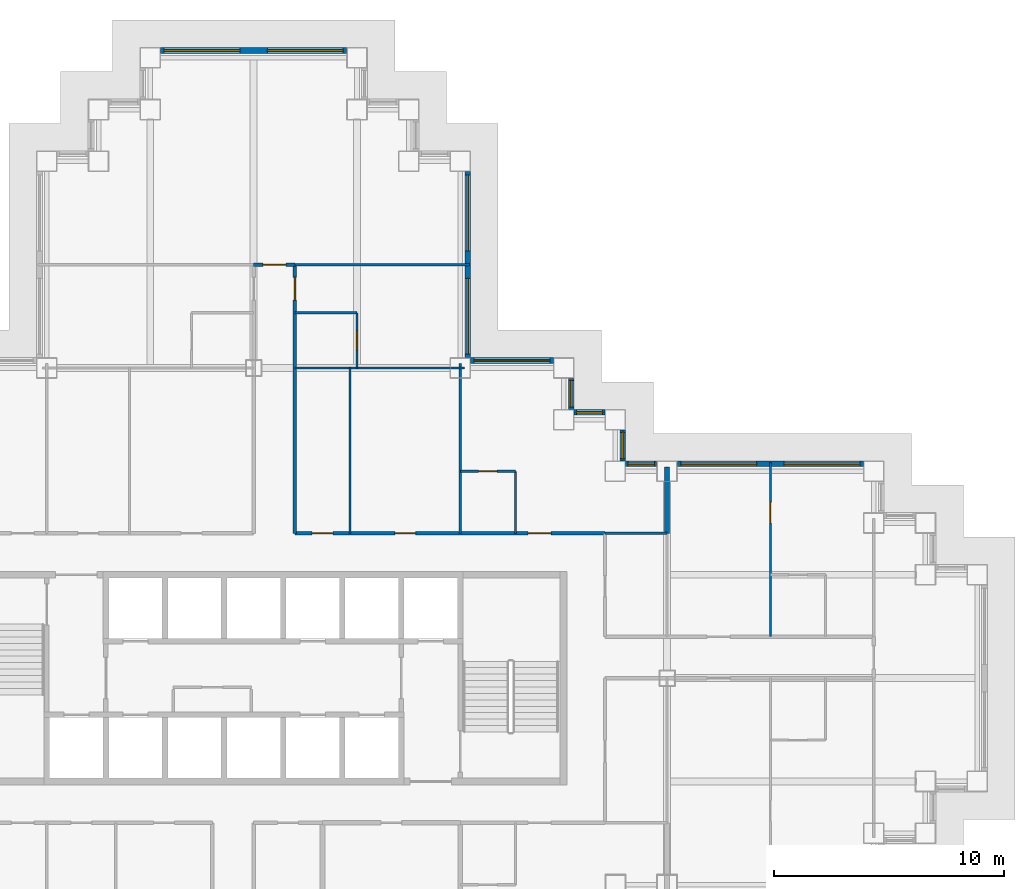
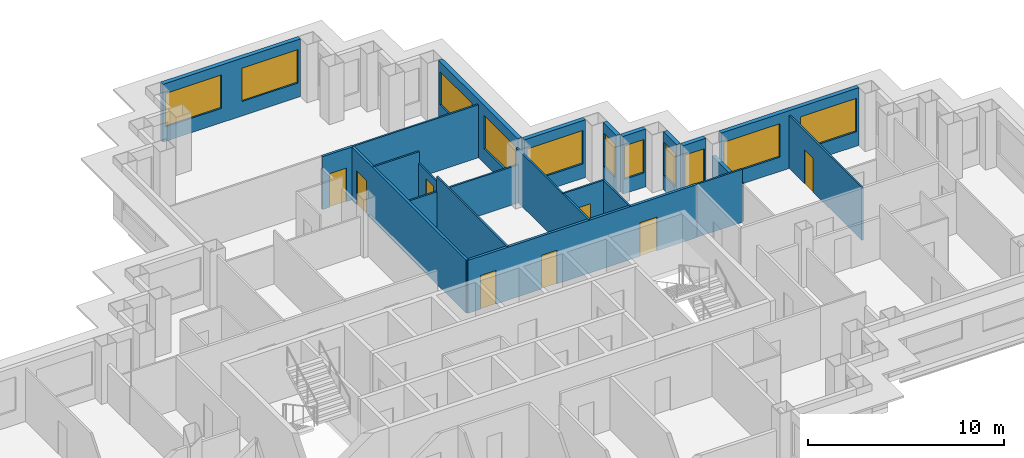
# One storey, part 9 of 15: 22 walls, 11 windows, 8 doors, 19 openings.
"""IFC4 building model written with IfcOpenShell, lengths in metres."""

import ifcopenshell
import ifcopenshell.guid

model = None  # the IFC model being written
_history = None  # IfcOwnerHistory: only IFC2X3 demands one
_inside = {}  # id of a spatial element -> (the spatial element, [elements in it])
_under = {}  # id of a project, library or spatial element -> (it, [spatial elements below it])
_declared = {}  # id of a project -> (the project, [libraries it declares])
_typed = {}  # id of a type object -> (the type object, [elements of that type])
_made_of = {}  # id of a material, layer set ... -> (it, [elements and type objects made of it])


def new_model(schema):
    """Start an empty IFC model of exactly this schema.

    Asked for "IFC4X3", IfcOpenShell would pick the latest addendum, in which some entities
    have other attributes; the version numbers below select the first issue.
    IFC2X3 requires an IfcOwnerHistory on every rooted entity: one is made here for all.
    """
    global model, _history
    if schema == "IFC4X3":
        model = ifcopenshell.file(schema_version=(4, 3, 0, 0))
    else:
        model = ifcopenshell.file(schema=schema)
    _inside.clear()
    _under.clear()
    _declared.clear()
    _typed.clear()
    _made_of.clear()
    _history = None
    if model.schema == "IFC2X3":
        org = make("IfcOrganization", Name="unknown")
        user = make(
            "IfcPersonAndOrganization",
            ThePerson=make("IfcPerson", FamilyName="unknown"),
            TheOrganization=org,
        )
        app = make(
            "IfcApplication",
            ApplicationDeveloper=org,
            Version="unknown",
            ApplicationFullName="unknown",
            ApplicationIdentifier="unknown",
        )
        _history = make(
            "IfcOwnerHistory",
            OwningUser=user,
            OwningApplication=app,
            ChangeAction="ADDED",
            CreationDate=0,
        )
    return model


def make(cls, **values):
    """One entity of the class cls with the attributes given. An attribute that is None is left unset."""
    return model.create_entity(
        cls, **{name: value for name, value in values.items() if value is not None}
    )


def rooted(cls, **values):
    """An entity with a GlobalId (a new one), such as an element, a storey or a relation."""
    return make(cls, GlobalId=ifcopenshell.guid.new(), OwnerHistory=_history, **values)


def si_unit(unit_type, name, prefix=None):
    """IfcSIUnit, for example si_unit("LENGTHUNIT", "METRE", prefix="MILLI")."""
    return make("IfcSIUnit", UnitType=unit_type, Prefix=prefix, Name=name)


def assignment(units):
    """IfcUnitAssignment: the units of a project."""
    return None if units is None else make("IfcUnitAssignment", Units=units)


def point(xyz):
    """IfcCartesianPoint."""
    return None if xyz is None else make("IfcCartesianPoint", Coordinates=xyz)


def direction(xyz):
    """IfcDirection."""
    return None if xyz is None else make("IfcDirection", DirectionRatios=xyz)


def frame(location, z_axis=None, x_axis=None):
    """IfcAxis2Placement3D, a coordinate frame: its origin and axes. An axis left out is left unset."""
    return make(
        "IfcAxis2Placement3D",
        Location=point(location),
        Axis=direction(z_axis),
        RefDirection=direction(x_axis),
    )


def frame_2d(location, x_axis=None):
    """IfcAxis2Placement2D, a coordinate frame in the plane: its origin and x axis."""
    return make(
        "IfcAxis2Placement2D", Location=point(location), RefDirection=direction(x_axis)
    )


def origin():
    """The frame at (0, 0, 0) with its axes left unset."""
    return frame((0.0, 0.0, 0.0))


def place(relative_to, where):
    """IfcLocalPlacement: puts the frame where relative to a parent placement (None: the world)."""
    return make(
        "IfcLocalPlacement", PlacementRelTo=relative_to, RelativePlacement=where
    )


def context(
    kind, dimensions, precision=None, world=None, true_north=None, identifier=None
):
    """IfcGeometricRepresentationContext, for example the 3D "Model" context."""
    return make(
        "IfcGeometricRepresentationContext",
        ContextIdentifier=identifier,
        ContextType=kind,
        CoordinateSpaceDimension=dimensions,
        Precision=precision,
        WorldCoordinateSystem=world,
        TrueNorth=true_north,
    )


def subcontext(parent, identifier, kind, view, scale=None):
    """IfcGeometricRepresentationSubContext, for example "Body" below "Model"."""
    return make(
        "IfcGeometricRepresentationSubContext",
        ContextIdentifier=identifier,
        ContextType=kind,
        ParentContext=parent,
        TargetScale=scale,
        TargetView=view,
    )


def project(units=None, contexts=None):
    """IfcProject with its units and contexts."""
    return rooted(
        "IfcProject",
        Name="project",
        RepresentationContexts=contexts,
        UnitsInContext=assignment(units),
    )


def spatial(cls, under=None, at=None, **own):
    """A site, building, storey or space (cls), placed at a placement, below another one or the project."""
    s = rooted(cls, ObjectPlacement=at, **own)
    if under is not None:
        _under.setdefault(under.id(), (under, []))[1].append(s)
    return s


def profile(cls, at=None, kind="AREA", **sizes):
    """A parametric profile (cls). Its sizes go by their IFC names, for example OverallWidth=200.0."""
    return make(cls, ProfileType=kind, Position=at, **sizes)


def rectangle(**sizes):
    """IfcRectangleProfileDef."""
    return profile("IfcRectangleProfileDef", **sizes)


def extrude(swept, where, along, depth):
    """IfcExtrudedAreaSolid: the profile swept, set in the frame where, extruded along a direction by depth."""
    return make(
        "IfcExtrudedAreaSolid",
        SweptArea=swept,
        Position=where,
        ExtrudedDirection=direction(along),
        Depth=depth,
    )


def shape(context_of_items, identifier, shape_type, items):
    """IfcShapeRepresentation: the items that make up one representation, for example the "Body"."""
    return make(
        "IfcShapeRepresentation",
        ContextOfItems=context_of_items,
        RepresentationIdentifier=identifier,
        RepresentationType=shape_type,
        Items=items,
    )


def material(Name=None, Category=None):
    """IfcMaterial."""
    return make("IfcMaterial", Name=Name, Category=Category)


def layer(
    of_material, thickness, ventilated=None, Name=None, Category=None, Priority=None
):
    """IfcMaterialLayer: one layer of a wall or slab, of a material (None: an air gap)."""
    return make(
        "IfcMaterialLayer",
        Material=of_material,
        LayerThickness=thickness,
        IsVentilated=ventilated,
        Name=Name,
        Category=Category,
        Priority=Priority,
    )


def layer_set(layers, Name=None):
    """IfcMaterialLayerSet."""
    return make("IfcMaterialLayerSet", MaterialLayers=layers, LayerSetName=Name)


def made_of(thing, what):
    """Note that an element or type object is made of a material, layer set ...; save() writes the relation."""
    if what is not None:
        _made_of.setdefault(what.id(), (what, []))[1].append(thing)
    return thing


def type_object(cls, material=None, **own):
    """A type object (cls), such as IfcWallType, which elements share."""
    return made_of(rooted(cls, **own), material)


def element(
    cls,
    number,
    at=None,
    inside=None,
    cuts=None,
    type_object=None,
    material=None,
    context=None,
    identifier="Body",
    shape_type=None,
    held_by="IfcProductDefinitionShape",
    body=None,
    shapes=None,
    **own,
):
    """One element of the class cls, such as IfcWall. Its Tag is "e" and its number.

    at: its placement. inside: the storey or other place that contains it. cuts: it is an
    opening in that element (IfcRelVoidsElement). A single representation is given by context,
    identifier, shape_type and body (its items); several are given by shapes. held_by: the class
    of the entity that holds the representations. save() writes the other relations.
    """
    e = rooted(cls, Tag="e%d" % number, ObjectPlacement=at, **own)
    if body is not None:
        shapes = [shape(context, identifier, shape_type, body)]
    if shapes is not None:
        e.Representation = make(held_by, Representations=shapes)
    if inside is not None:
        _inside.setdefault(inside.id(), (inside, []))[1].append(e)
    if cuts is not None:
        rooted(
            "IfcRelVoidsElement", RelatingBuildingElement=cuts, RelatedOpeningElement=e
        )
    if type_object is not None:
        _typed.setdefault(type_object.id(), (type_object, []))[1].append(e)
    return made_of(e, material)


def fill(opening, filler):
    """IfcRelFillsElement: the door or window that sits in an opening."""
    return rooted(
        "IfcRelFillsElement",
        RelatingOpeningElement=opening,
        RelatedBuildingElement=filler,
    )


def aggregate(whole, parts):
    """IfcRelAggregates: a whole, such as a stair, and the parts it consists of."""
    return rooted("IfcRelAggregates", RelatingObject=whole, RelatedObjects=parts)


def save(model, path):
    """Write the relations noted so far, then the file.

    IfcRelAggregates (storeys below a building ...), IfcRelContainedInSpatialStructure (elements
    in a storey), IfcRelDefinesByType, IfcRelAssociatesMaterial and IfcRelDeclares: one each for
    every whole, place, type object, material and project.
    """
    for whole, parts in _under.values():
        aggregate(whole, parts)
    for where, things in _inside.values():
        rooted(
            "IfcRelContainedInSpatialStructure",
            RelatedElements=things,
            RelatingStructure=where,
        )
    for kind, things in _typed.values():
        rooted("IfcRelDefinesByType", RelatedObjects=things, RelatingType=kind)
    for what, things in _made_of.values():
        rooted("IfcRelAssociatesMaterial", RelatedObjects=things, RelatingMaterial=what)
    for by, libraries in _declared.values():
        rooted("IfcRelDeclares", RelatingContext=by, RelatedDefinitions=libraries)
    model.write(path)


model = new_model("IFC4")

# Units and contexts
model_context = context("Model", 3, precision=1e-05, world=origin(), true_north=direction((0.0, 1.0)))
body_context = subcontext(model_context, "Body", "Model", "MODEL_VIEW")
ifc_project = project(units=[si_unit("LENGTHUNIT", "METRE"), si_unit("AREAUNIT", "SQUARE_METRE"), si_unit("VOLUMEUNIT", "CUBIC_METRE"), si_unit("PLANEANGLEUNIT", "RADIAN"), si_unit("MASSUNIT", "GRAM", prefix="KILO")], contexts=[model_context])

# Site, building, storey
site_placement = place(None, origin())
site = spatial("IfcSite", under=ifc_project, at=site_placement, CompositionType="ELEMENT")
building_placement = place(site_placement, origin())
building = spatial("IfcBuilding", under=site, at=building_placement, Name="Caravel Reach Hotel and Residences", CompositionType="ELEMENT")
storey_placement = place(building_placement, frame((0.0, 0.0, 104.39990234375)))
storey = spatial("IfcBuildingStorey", under=building, at=storey_placement, Name="L25", CompositionType="ELEMENT", Elevation=104.39990234375)

# Wall, opening, door
ifc_material_1 = material(Name="Gypsum board on steel stud", Category="steel")
ifc_layer_1 = layer(ifc_material_1, 0.10009765625)
ifc_layer_set_1 = layer_set([ifc_layer_1], Name="Bathroom pod wall 100 mm")
wall_type_1 = type_object("IfcWallType", Name="Bathroom pod wall 100 mm", PredefinedType="PARTITIONING", material=ifc_layer_set_1)
wall_1_placement = place(storey_placement, frame((40.5, 36.0, 0.0), z_axis=(0.0, 0.0, 1.0), x_axis=(1.0, 0.0, 0.0)))
wall_1 = element("IfcWall", 1, at=wall_1_placement, inside=storey, type_object=wall_type_1, Name="L25 wall w093", PredefinedType="PARTITIONING", context=body_context, shape_type="SweptSolid", body=[
    extrude(rectangle(XDim=2.39990234375, YDim=0.10009765625, at=frame_2d((1.199951171875, 0.0))), origin(), (0.0, 0.0, 1.0), 3.300048828125),
])
opening_1_placement = place(wall_1_placement, frame((0.800048828125, 0.0, 0.0)))
opening_1 = element("IfcOpeningElement", 2, at=opening_1_placement, cuts=wall_1, Name="Opening D25-048", PredefinedType="OPENING", context=body_context, shape_type="SweptSolid", body=[
    extrude(rectangle(XDim=0.800048828125, YDim=2.10009765625, at=frame_2d((0.39990234375, 1.050048828125))), frame((0.0, 0.06005859375, 0.0), z_axis=(0.0, -1.0, 0.0), x_axis=(1.0, 0.0, 0.0)), (0.0, 0.0, 1.0), 0.1201171875),
])
ifc_material_2 = material(Name="Timber and steel door leaf", Category="steel")
door_type_1 = type_object("IfcDoorType", Name="Bathroom door 800 x 2100", OperationType="SINGLE_SWING_LEFT", PredefinedType="DOOR", material=ifc_material_2)
door_1_placement = place(opening_1_placement, origin())
door_1 = element("IfcDoor", 3, at=door_1_placement, inside=storey, type_object=door_type_1, Name="door D25-048", OperationType="SINGLE_SWING_RIGHT", OverallHeight=2.10009765625, OverallWidth=0.800048828125, PredefinedType="DOOR", context=body_context, shape_type="SweptSolid", body=[
    extrude(rectangle(XDim=0.800048828125, YDim=2.10009765625, at=frame_2d((0.39990234375, 1.050048828125))), frame((0.0, 0.02490234375, 0.0), z_axis=(0.0, -1.0, 0.0), x_axis=(1.0, 0.0, 0.0)), (0.0, 0.0, 1.0), 0.050048828125),
])
fill(opening_1, door_1)

# Wall
wall_2_placement = place(storey_placement, frame((33.300048828125, 42.89990234375, 0.0), z_axis=(0.0, 0.0, 1.0), x_axis=(1.0, 0.0, 0.0)))
element("IfcWall", 4, at=wall_2_placement, inside=storey, type_object=wall_type_1, Name="L25 wall w094", PredefinedType="PARTITIONING", context=body_context, shape_type="SweptSolid", body=[
    extrude(rectangle(XDim=2.699951171875, YDim=0.10009765625, at=frame_2d((1.35009765625, 0.0))), origin(), (0.0, 0.0, 1.0), 3.300048828125),
])

# Wall, opening, door
wall_3_placement = place(storey_placement, frame((36.0, 40.5, 0.0), z_axis=(0.0, 0.0, 1.0), x_axis=(0.0, 1.0, 0.0)))
wall_3 = element("IfcWall", 5, at=wall_3_placement, inside=storey, type_object=wall_type_1, Name="L25 wall w110", PredefinedType="PARTITIONING", context=body_context, shape_type="SweptSolid", body=[
    extrude(rectangle(XDim=2.39990234375, YDim=0.10009765625, at=frame_2d((1.199951171875, 0.0))), origin(), (0.0, 0.0, 1.0), 2.580078125),
])
opening_2_placement = place(wall_3_placement, frame((0.800048828125, 0.0, 0.0)))
opening_2 = element("IfcOpeningElement", 6, at=opening_2_placement, cuts=wall_3, Name="Opening D25-031", PredefinedType="OPENING", context=body_context, shape_type="SweptSolid", body=[
    extrude(rectangle(XDim=0.800048828125, YDim=2.10009765625, at=frame_2d((0.39990234375, 1.050048828125))), frame((0.0, 0.06005859375, 0.0), z_axis=(0.0, -1.0, 0.0), x_axis=(1.0, 0.0, 0.0)), (0.0, 0.0, 1.0), 0.1201171875),
])
door_2_placement = place(opening_2_placement, origin())
door_2 = element("IfcDoor", 7, at=door_2_placement, inside=storey, type_object=door_type_1, Name="door D25-031", OperationType="SINGLE_SWING_LEFT", OverallHeight=2.10009765625, OverallWidth=0.800048828125, PredefinedType="DOOR", context=body_context, shape_type="SweptSolid", body=[
    extrude(rectangle(XDim=0.800048828125, YDim=2.10009765625, at=frame_2d((0.39990234375, 1.050048828125))), frame((0.0, 0.02490234375, 0.0), z_axis=(0.0, -1.0, 0.0), x_axis=(1.0, 0.0, 0.0)), (0.0, 0.0, 1.0), 0.050048828125),
])
fill(opening_2, door_2)

# Wall
wall_4_placement = place(storey_placement, frame((42.89990234375, 33.300048828125, 0.0), z_axis=(0.0, 0.0, 1.0), x_axis=(0.0, 1.0, 0.0)))
element("IfcWall", 8, at=wall_4_placement, inside=storey, type_object=wall_type_1, Name="L25 wall w111", PredefinedType="PARTITIONING", context=body_context, shape_type="SweptSolid", body=[
    extrude(rectangle(XDim=2.699951171875, YDim=0.10009765625, at=frame_2d((1.35009765625, 0.0))), origin(), (0.0, 0.0, 1.0), 3.300048828125),
])

# Wall, openings, doors
ifc_material_3 = material(Name="Gypsum board on steel stud, fire-rated", Category="steel")
ifc_layer_2 = layer(ifc_material_3, 0.14990234375)
ifc_layer_set_2 = layer_set([ifc_layer_2], Name="Corridor wall 150 mm EI 60")
wall_type_2 = type_object("IfcWallType", Name="Corridor wall 150 mm EI 60", PredefinedType="PARTITIONING", material=ifc_layer_set_2)
wall_5_placement = place(storey_placement, frame((33.300048828125, 33.300048828125, 0.0), z_axis=(0.0, 0.0, 1.0), x_axis=(1.0, 0.0, 0.0)))
wall_5 = element("IfcWall", 9, at=wall_5_placement, inside=storey, type_object=wall_type_2, Name="L25 wall w022", PredefinedType="PARTITIONING", context=body_context, shape_type="SweptSolid", body=[
    extrude(rectangle(XDim=13.5, YDim=0.14990234375, at=frame_2d((6.75, 0.0))), origin(), (0.0, 0.0, 1.0), 3.300048828125),
])
opening_3_placement = place(wall_5_placement, frame((10.14990234375, 0.0, 0.0)))
opening_3 = element("IfcOpeningElement", 10, at=opening_3_placement, cuts=wall_5, Name="Opening D25-047", PredefinedType="OPENING", context=body_context, shape_type="SweptSolid", body=[
    extrude(rectangle(XDim=1.0, YDim=2.10009765625, at=frame_2d((0.5, 1.050048828125))), frame((0.0, 0.0849609375, 0.0), z_axis=(0.0, -1.0, 0.0), x_axis=(1.0, 0.0, 0.0)), (0.0, 0.0, 1.0), 0.169921875),
])
opening_4_placement = place(wall_5_placement, frame((0.75, 0.0, 0.0)))
opening_4 = element("IfcOpeningElement", 11, at=opening_4_placement, cuts=wall_5, Name="Opening D25-055", PredefinedType="OPENING", context=body_context, shape_type="SweptSolid", body=[
    extrude(rectangle(XDim=0.89990234375, YDim=2.10009765625, at=frame_2d((0.449951171875, 1.050048828125))), frame((0.0, 0.0849609375, 0.0), z_axis=(0.0, -1.0, 0.0), x_axis=(1.0, 0.0, 0.0)), (0.0, 0.0, 1.0), 0.169921875),
])
opening_5_placement = place(wall_5_placement, frame((4.349853515625, 0.0, 0.0)))
opening_5 = element("IfcOpeningElement", 12, at=opening_5_placement, cuts=wall_5, Name="Opening D25-056", PredefinedType="OPENING", context=body_context, shape_type="SweptSolid", body=[
    extrude(rectangle(XDim=0.89990234375, YDim=2.10009765625, at=frame_2d((0.449951171875, 1.050048828125))), frame((0.0, 0.0849609375, 0.0), z_axis=(0.0, -1.0, 0.0), x_axis=(1.0, 0.0, 0.0)), (0.0, 0.0, 1.0), 0.169921875),
])
ifc_material_4 = material(Name="Timber and steel door leaf", Category="steel")
door_type_2 = type_object("IfcDoorType", Name="Door 900 x 2100 timber", OperationType="SINGLE_SWING_LEFT", PredefinedType="DOOR", material=ifc_material_4)
door_3_placement = place(opening_4_placement, origin())
door_3 = element("IfcDoor", 13, at=door_3_placement, inside=storey, type_object=door_type_2, Name="door D25-055", OperationType="SINGLE_SWING_LEFT", OverallHeight=2.10009765625, OverallWidth=0.89990234375, PredefinedType="DOOR", context=body_context, shape_type="SweptSolid", body=[
    extrude(rectangle(XDim=0.89990234375, YDim=2.10009765625, at=frame_2d((0.449951171875, 1.050048828125))), frame((0.0, 0.02490234375, 0.0), z_axis=(0.0, -1.0, 0.0), x_axis=(1.0, 0.0, 0.0)), (0.0, 0.0, 1.0), 0.050048828125),
])
fill(opening_4, door_3)
door_4_placement = place(opening_5_placement, origin())
door_4 = element("IfcDoor", 14, at=door_4_placement, inside=storey, type_object=door_type_2, Name="door D25-056", OperationType="SINGLE_SWING_RIGHT", OverallHeight=2.10009765625, OverallWidth=0.89990234375, PredefinedType="DOOR", context=body_context, shape_type="SweptSolid", body=[
    extrude(rectangle(XDim=0.89990234375, YDim=2.10009765625, at=frame_2d((0.449951171875, 1.050048828125))), frame((0.0, 0.02490234375, 0.0), z_axis=(0.0, -1.0, 0.0), x_axis=(1.0, 0.0, 0.0)), (0.0, 0.0, 1.0), 0.050048828125),
])
fill(opening_5, door_4)
ifc_material_5 = material(Name="Steel fire door leaf", Category="steel")
door_type_3 = type_object("IfcDoorType", Name="Guest room door 1000 x 2100 EI 30", OperationType="SINGLE_SWING_LEFT", PredefinedType="DOOR", material=ifc_material_5)
door_5_placement = place(opening_3_placement, origin())
door_5 = element("IfcDoor", 15, at=door_5_placement, inside=storey, type_object=door_type_3, Name="door D25-047", OperationType="SINGLE_SWING_RIGHT", OverallHeight=2.10009765625, OverallWidth=1.0, PredefinedType="DOOR", context=body_context, shape_type="SweptSolid", body=[
    extrude(rectangle(XDim=1.0, YDim=2.10009765625, at=frame_2d((0.5, 1.050048828125))), frame((0.0, 0.02490234375, 0.0), z_axis=(0.0, -1.0, 0.0), x_axis=(1.0, 0.0, 0.0)), (0.0, 0.0, 1.0), 0.050048828125),
])
fill(opening_3, door_5)

# Wall, opening, door
wall_6_placement = place(storey_placement, frame((31.5, 45.0, 0.0), z_axis=(0.0, 0.0, 1.0), x_axis=(1.0, 0.0, 0.0)))
wall_6 = element("IfcWall", 16, at=wall_6_placement, inside=storey, type_object=wall_type_2, Name="L25 wall w025", PredefinedType="PARTITIONING", context=body_context, shape_type="SweptSolid", body=[
    extrude(rectangle(XDim=1.800048828125, YDim=0.14990234375, at=frame_2d((0.89990234375, 0.0))), origin(), (0.0, 0.0, 1.0), 3.300048828125),
])
opening_6_placement = place(wall_6_placement, frame((0.39990234375, 0.0, 0.0)))
opening_6 = element("IfcOpeningElement", 17, at=opening_6_placement, cuts=wall_6, Name="Opening D25-042", PredefinedType="OPENING", context=body_context, shape_type="SweptSolid", body=[
    extrude(rectangle(XDim=1.0, YDim=2.10009765625, at=frame_2d((0.5, 1.050048828125))), frame((0.0, 0.0849609375, 0.0), z_axis=(0.0, -1.0, 0.0), x_axis=(1.0, 0.0, 0.0)), (0.0, 0.0, 1.0), 0.169921875),
])
door_6_placement = place(opening_6_placement, origin())
door_6 = element("IfcDoor", 18, at=door_6_placement, inside=storey, type_object=door_type_3, Name="door D25-042", OperationType="SINGLE_SWING_RIGHT", OverallHeight=2.10009765625, OverallWidth=1.0, PredefinedType="DOOR", context=body_context, shape_type="SweptSolid", body=[
    extrude(rectangle(XDim=1.0, YDim=2.10009765625, at=frame_2d((0.5, 1.050048828125))), frame((0.0, 0.02490234375, 0.0), z_axis=(0.0, -1.0, 0.0), x_axis=(1.0, 0.0, 0.0)), (0.0, 0.0, 1.0), 0.050048828125),
])
fill(opening_6, door_6)

wall_7_placement = place(storey_placement, frame((33.300048828125, 33.300048828125, 0.0), z_axis=(0.0, 0.0, 1.0), x_axis=(0.0, 1.0, 0.0)))
wall_7 = element("IfcWall", 19, at=wall_7_placement, inside=storey, type_object=wall_type_2, Name="L25 wall w037", PredefinedType="PARTITIONING", context=body_context, shape_type="SweptSolid", body=[
    extrude(rectangle(XDim=11.699951171875, YDim=0.14990234375, at=frame_2d((5.85009765625, 0.0))), origin(), (0.0, 0.0, 1.0), 3.300048828125),
])
opening_7_placement = place(wall_7_placement, frame((10.14990234375, 0.0, 0.0)))
opening_7 = element("IfcOpeningElement", 20, at=opening_7_placement, cuts=wall_7, Name="Opening D25-030", PredefinedType="OPENING", context=body_context, shape_type="SweptSolid", body=[
    extrude(rectangle(XDim=1.0, YDim=2.10009765625, at=frame_2d((0.5, 1.050048828125))), frame((0.0, 0.0849609375, 0.0), z_axis=(0.0, -1.0, 0.0), x_axis=(1.0, 0.0, 0.0)), (0.0, 0.0, 1.0), 0.169921875),
])
door_7_placement = place(opening_7_placement, origin())
door_7 = element("IfcDoor", 21, at=door_7_placement, inside=storey, type_object=door_type_3, Name="door D25-030", OperationType="SINGLE_SWING_RIGHT", OverallHeight=2.10009765625, OverallWidth=1.0, PredefinedType="DOOR", context=body_context, shape_type="SweptSolid", body=[
    extrude(rectangle(XDim=1.0, YDim=2.10009765625, at=frame_2d((0.5, 1.050048828125))), frame((0.0, 0.02490234375, 0.0), z_axis=(0.0, -1.0, 0.0), x_axis=(1.0, 0.0, 0.0)), (0.0, 0.0, 1.0), 0.050048828125),
])
fill(opening_7, door_7)

# Wall, openings, windows
ifc_material_6 = material(Name="Insulated rainscreen wall, aluminium cladding", Category="aluminium")
ifc_layer_3 = layer(ifc_material_6, 0.25)
ifc_layer_set_3 = layer_set([ifc_layer_3], Name="EW1 Tower rainscreen wall")
wall_type_3 = type_object("IfcWallType", Name="EW1 Tower rainscreen wall", PredefinedType="SOLIDWALL", material=ifc_layer_set_3)
wall_8_placement = place(storey_placement, frame((58.050048828125, 36.324951171875, 0.0), z_axis=(0.0, 0.0, 1.0), x_axis=(-1.0, 0.0, 0.0)))
wall_8 = element("IfcWall", 22, at=wall_8_placement, inside=storey, type_object=wall_type_3, Name="External wall L25 N25.1", PredefinedType="SOLIDWALL", context=body_context, shape_type="SweptSolid", body=[
    extrude(rectangle(XDim=8.10009765625, YDim=0.25, at=frame_2d((4.050048828125, 0.0))), origin(), (0.0, 0.0, 1.0), 3.60009765625),
])
opening_8_placement = place(wall_8_placement, frame((0.14990234375, 0.0, 0.89990234375)))
opening_8 = element("IfcOpeningElement", 23, at=opening_8_placement, cuts=wall_8, Name="Opening WN4", PredefinedType="OPENING", context=body_context, shape_type="SweptSolid", body=[
    extrude(rectangle(XDim=3.300048828125, YDim=2.080078125, at=frame_2d((1.64990234375, 1.0400390625))), frame((0.0, 0.135009765625, 0.0), z_axis=(0.0, -1.0, 0.0), x_axis=(1.0, 0.0, 0.0)), (0.0, 0.0, 1.0), 0.27001953125),
])
opening_9_placement = place(wall_8_placement, frame((4.64990234375, 0.0, 0.89990234375)))
opening_9 = element("IfcOpeningElement", 24, at=opening_9_placement, cuts=wall_8, Name="Opening WN4", PredefinedType="OPENING", context=body_context, shape_type="SweptSolid", body=[
    extrude(rectangle(XDim=3.300048828125, YDim=2.080078125, at=frame_2d((1.64990234375, 1.0400390625))), frame((0.0, 0.135009765625, 0.0), z_axis=(0.0, -1.0, 0.0), x_axis=(1.0, 0.0, 0.0)), (0.0, 0.0, 1.0), 0.27001953125),
])
ifc_material_7 = material(Name="Dark low-e glazing in black aluminium frame", Category="aluminium")
window_type_1 = type_object("IfcWindowType", Name="Hotel guest room window 3300 x 2080", PartitioningType="SINGLE_PANEL", PredefinedType="WINDOW", material=ifc_material_7)
window_1_placement = place(opening_8_placement, origin())
window_1 = element("IfcWindow", 25, at=window_1_placement, inside=storey, type_object=window_type_1, Name="Window L25 N25.1.1", OverallHeight=2.080078125, OverallWidth=3.300048828125, PartitioningType="SINGLE_PANEL", PredefinedType="WINDOW", context=body_context, shape_type="SweptSolid", body=[
    extrude(rectangle(XDim=3.300048828125, YDim=2.080078125, at=frame_2d((1.64990234375, 1.0400390625))), frame((0.0, 0.030029296875, 0.0), z_axis=(0.0, -1.0, 0.0), x_axis=(1.0, 0.0, 0.0)), (0.0, 0.0, 1.0), 0.06005859375),
])
fill(opening_8, window_1)
window_2_placement = place(opening_9_placement, origin())
window_2 = element("IfcWindow", 26, at=window_2_placement, inside=storey, type_object=window_type_1, Name="Window L25 N25.1.2", OverallHeight=2.080078125, OverallWidth=3.300048828125, PartitioningType="SINGLE_PANEL", PredefinedType="WINDOW", context=body_context, shape_type="SweptSolid", body=[
    extrude(rectangle(XDim=3.300048828125, YDim=2.080078125, at=frame_2d((1.64990234375, 1.0400390625))), frame((0.0, 0.030029296875, 0.0), z_axis=(0.0, -1.0, 0.0), x_axis=(1.0, 0.0, 0.0)), (0.0, 0.0, 1.0), 0.06005859375),
])
fill(opening_9, window_2)

# Wall, opening, window
wall_9_placement = place(storey_placement, frame((49.050048828125, 36.324951171875, 0.0), z_axis=(0.0, 0.0, 1.0), x_axis=(-1.0, 0.0, 0.0)))
wall_9 = element("IfcWall", 27, at=wall_9_placement, inside=storey, type_object=wall_type_3, Name="External wall L25 N25.2", PredefinedType="SOLIDWALL", context=body_context, shape_type="SweptSolid", body=[
    extrude(rectangle(XDim=1.35009765625, YDim=0.25, at=frame_2d((0.675048828125, 0.0))), origin(), (0.0, 0.0, 1.0), 3.60009765625),
])
opening_10_placement = place(wall_9_placement, frame((0.10009765625, 0.0, 0.89990234375)))
opening_10 = element("IfcOpeningElement", 28, at=opening_10_placement, cuts=wall_9, Name="Opening WN8", PredefinedType="OPENING", context=body_context, shape_type="SweptSolid", body=[
    extrude(rectangle(XDim=1.14990234375, YDim=2.080078125, at=frame_2d((0.574951171875, 1.0400390625))), frame((0.0, 0.135009765625, 0.0), z_axis=(0.0, -1.0, 0.0), x_axis=(1.0, 0.0, 0.0)), (0.0, 0.0, 1.0), 0.27001953125),
])
ifc_material_8 = material(Name="Dark low-e glazing in black aluminium frame", Category="aluminium")
window_type_2 = type_object("IfcWindowType", Name="Hotel suite corner window 1150 x 2080", PartitioningType="SINGLE_PANEL", PredefinedType="WINDOW", material=ifc_material_8)
window_3_placement = place(opening_10_placement, origin())
window_3 = element("IfcWindow", 29, at=window_3_placement, inside=storey, type_object=window_type_2, Name="Window L25 N25.2.1", OverallHeight=2.080078125, OverallWidth=1.14990234375, PartitioningType="SINGLE_PANEL", PredefinedType="WINDOW", context=body_context, shape_type="SweptSolid", body=[
    extrude(rectangle(XDim=1.14990234375, YDim=2.080078125, at=frame_2d((0.574951171875, 1.0400390625))), frame((0.0, 0.030029296875, 0.0), z_axis=(0.0, -1.0, 0.0), x_axis=(1.0, 0.0, 0.0)), (0.0, 0.0, 1.0), 0.06005859375),
])
fill(opening_10, window_3)

wall_10_placement = place(storey_placement, frame((47.574951171875, 36.449951171875, 0.0), z_axis=(0.0, 0.0, 1.0), x_axis=(0.0, 1.0, 0.0)))
wall_10 = element("IfcWall", 30, at=wall_10_placement, inside=storey, type_object=wall_type_3, Name="External wall L25 E26.1", PredefinedType="SOLIDWALL", context=body_context, shape_type="SweptSolid", body=[
    extrude(rectangle(XDim=1.35009765625, YDim=0.25, at=frame_2d((0.675048828125, 0.0))), origin(), (0.0, 0.0, 1.0), 3.60009765625),
])
opening_11_placement = place(wall_10_placement, frame((0.10009765625, 0.0, 0.89990234375)))
opening_11 = element("IfcOpeningElement", 31, at=opening_11_placement, cuts=wall_10, Name="Opening WN8", PredefinedType="OPENING", context=body_context, shape_type="SweptSolid", body=[
    extrude(rectangle(XDim=1.14990234375, YDim=2.080078125, at=frame_2d((0.574951171875, 1.0400390625))), frame((0.0, 0.135009765625, 0.0), z_axis=(0.0, -1.0, 0.0), x_axis=(1.0, 0.0, 0.0)), (0.0, 0.0, 1.0), 0.27001953125),
])
window_4_placement = place(opening_11_placement, origin())
window_4 = element("IfcWindow", 32, at=window_4_placement, inside=storey, type_object=window_type_2, Name="Window L25 E26.1.1", OverallHeight=2.080078125, OverallWidth=1.14990234375, PartitioningType="SINGLE_PANEL", PredefinedType="WINDOW", context=body_context, shape_type="SweptSolid", body=[
    extrude(rectangle(XDim=1.14990234375, YDim=2.080078125, at=frame_2d((0.574951171875, 1.0400390625))), frame((0.0, 0.030029296875, 0.0), z_axis=(0.0, -1.0, 0.0), x_axis=(1.0, 0.0, 0.0)), (0.0, 0.0, 1.0), 0.06005859375),
])
fill(opening_11, window_4)

wall_11_placement = place(storey_placement, frame((46.800048828125, 38.574951171875, 0.0), z_axis=(0.0, 0.0, 1.0), x_axis=(-1.0, 0.0, 0.0)))
wall_11 = element("IfcWall", 33, at=wall_11_placement, inside=storey, type_object=wall_type_3, Name="External wall L25 N27.1", PredefinedType="SOLIDWALL", context=body_context, shape_type="SweptSolid", body=[
    extrude(rectangle(XDim=1.35009765625, YDim=0.25, at=frame_2d((0.675048828125, 0.0))), origin(), (0.0, 0.0, 1.0), 3.60009765625),
])
opening_12_placement = place(wall_11_placement, frame((0.10009765625, 0.0, 0.89990234375)))
opening_12 = element("IfcOpeningElement", 34, at=opening_12_placement, cuts=wall_11, Name="Opening WN8", PredefinedType="OPENING", context=body_context, shape_type="SweptSolid", body=[
    extrude(rectangle(XDim=1.14990234375, YDim=2.080078125, at=frame_2d((0.574951171875, 1.0400390625))), frame((0.0, 0.135009765625, 0.0), z_axis=(0.0, -1.0, 0.0), x_axis=(1.0, 0.0, 0.0)), (0.0, 0.0, 1.0), 0.27001953125),
])
window_5_placement = place(opening_12_placement, origin())
window_5 = element("IfcWindow", 35, at=window_5_placement, inside=storey, type_object=window_type_2, Name="Window L25 N27.1.1", OverallHeight=2.080078125, OverallWidth=1.14990234375, PartitioningType="SINGLE_PANEL", PredefinedType="WINDOW", context=body_context, shape_type="SweptSolid", body=[
    extrude(rectangle(XDim=1.14990234375, YDim=2.080078125, at=frame_2d((0.574951171875, 1.0400390625))), frame((0.0, 0.030029296875, 0.0), z_axis=(0.0, -1.0, 0.0), x_axis=(1.0, 0.0, 0.0)), (0.0, 0.0, 1.0), 0.06005859375),
])
fill(opening_12, window_5)

wall_12_placement = place(storey_placement, frame((45.324951171875, 38.699951171875, 0.0), z_axis=(0.0, 0.0, 1.0), x_axis=(0.0, 1.0, 0.0)))
wall_12 = element("IfcWall", 36, at=wall_12_placement, inside=storey, type_object=wall_type_3, Name="External wall L25 E28.1", PredefinedType="SOLIDWALL", context=body_context, shape_type="SweptSolid", body=[
    extrude(rectangle(XDim=1.35009765625, YDim=0.25, at=frame_2d((0.675048828125, 0.0))), origin(), (0.0, 0.0, 1.0), 3.60009765625),
])
opening_13_placement = place(wall_12_placement, frame((0.10009765625, 0.0, 0.89990234375)))
opening_13 = element("IfcOpeningElement", 37, at=opening_13_placement, cuts=wall_12, Name="Opening WN8", PredefinedType="OPENING", context=body_context, shape_type="SweptSolid", body=[
    extrude(rectangle(XDim=1.14990234375, YDim=2.080078125, at=frame_2d((0.574951171875, 1.0400390625))), frame((0.0, 0.135009765625, 0.0), z_axis=(0.0, -1.0, 0.0), x_axis=(1.0, 0.0, 0.0)), (0.0, 0.0, 1.0), 0.27001953125),
])
window_6_placement = place(opening_13_placement, origin())
window_6 = element("IfcWindow", 38, at=window_6_placement, inside=storey, type_object=window_type_2, Name="Window L25 E28.1.1", OverallHeight=2.080078125, OverallWidth=1.14990234375, PartitioningType="SINGLE_PANEL", PredefinedType="WINDOW", context=body_context, shape_type="SweptSolid", body=[
    extrude(rectangle(XDim=1.14990234375, YDim=2.080078125, at=frame_2d((0.574951171875, 1.0400390625))), frame((0.0, 0.030029296875, 0.0), z_axis=(0.0, -1.0, 0.0), x_axis=(1.0, 0.0, 0.0)), (0.0, 0.0, 1.0), 0.06005859375),
])
fill(opening_13, window_6)

wall_13_placement = place(storey_placement, frame((44.550048828125, 40.824951171875, 0.0), z_axis=(0.0, 0.0, 1.0), x_axis=(-1.0, 0.0, 0.0)))
wall_13 = element("IfcWall", 39, at=wall_13_placement, inside=storey, type_object=wall_type_3, Name="External wall L25 N29.1", PredefinedType="SOLIDWALL", context=body_context, shape_type="SweptSolid", body=[
    extrude(rectangle(XDim=3.60009765625, YDim=0.25, at=frame_2d((1.800048828125, 0.0))), origin(), (0.0, 0.0, 1.0), 3.60009765625),
])
opening_14_placement = place(wall_13_placement, frame((0.14990234375, 0.0, 0.89990234375)))
opening_14 = element("IfcOpeningElement", 40, at=opening_14_placement, cuts=wall_13, Name="Opening WN4", PredefinedType="OPENING", context=body_context, shape_type="SweptSolid", body=[
    extrude(rectangle(XDim=3.300048828125, YDim=2.080078125, at=frame_2d((1.64990234375, 1.0400390625))), frame((0.0, 0.135009765625, 0.0), z_axis=(0.0, -1.0, 0.0), x_axis=(1.0, 0.0, 0.0)), (0.0, 0.0, 1.0), 0.27001953125),
])
window_7_placement = place(opening_14_placement, origin())
window_7 = element("IfcWindow", 41, at=window_7_placement, inside=storey, type_object=window_type_1, Name="Window L25 N29.1.1", OverallHeight=2.080078125, OverallWidth=3.300048828125, PartitioningType="SINGLE_PANEL", PredefinedType="WINDOW", context=body_context, shape_type="SweptSolid", body=[
    extrude(rectangle(XDim=3.300048828125, YDim=2.080078125, at=frame_2d((1.64990234375, 1.0400390625))), frame((0.0, 0.030029296875, 0.0), z_axis=(0.0, -1.0, 0.0), x_axis=(1.0, 0.0, 0.0)), (0.0, 0.0, 1.0), 0.06005859375),
])
fill(opening_14, window_7)

# Wall, openings, windows
wall_14_placement = place(storey_placement, frame((40.824951171875, 40.949951171875, 0.0), z_axis=(0.0, 0.0, 1.0), x_axis=(0.0, 1.0, 0.0)))
wall_14 = element("IfcWall", 42, at=wall_14_placement, inside=storey, type_object=wall_type_3, Name="External wall L25 E30.1", PredefinedType="SOLIDWALL", context=body_context, shape_type="SweptSolid", body=[
    extrude(rectangle(XDim=8.10009765625, YDim=0.25, at=frame_2d((4.050048828125, 0.0))), origin(), (0.0, 0.0, 1.0), 3.60009765625),
])
opening_15_placement = place(wall_14_placement, frame((0.14990234375, 0.0, 0.89990234375)))
opening_15 = element("IfcOpeningElement", 43, at=opening_15_placement, cuts=wall_14, Name="Opening WN4", PredefinedType="OPENING", context=body_context, shape_type="SweptSolid", body=[
    extrude(rectangle(XDim=3.300048828125, YDim=2.080078125, at=frame_2d((1.64990234375, 1.0400390625))), frame((0.0, 0.135009765625, 0.0), z_axis=(0.0, -1.0, 0.0), x_axis=(1.0, 0.0, 0.0)), (0.0, 0.0, 1.0), 0.27001953125),
])
opening_16_placement = place(wall_14_placement, frame((4.64990234375, 0.0, 0.89990234375)))
opening_16 = element("IfcOpeningElement", 44, at=opening_16_placement, cuts=wall_14, Name="Opening WN4", PredefinedType="OPENING", context=body_context, shape_type="SweptSolid", body=[
    extrude(rectangle(XDim=3.300048828125, YDim=2.080078125, at=frame_2d((1.64990234375, 1.0400390625))), frame((0.0, 0.135009765625, 0.0), z_axis=(0.0, -1.0, 0.0), x_axis=(1.0, 0.0, 0.0)), (0.0, 0.0, 1.0), 0.27001953125),
])
window_8_placement = place(opening_15_placement, origin())
window_8 = element("IfcWindow", 45, at=window_8_placement, inside=storey, type_object=window_type_1, Name="Window L25 E30.1.1", OverallHeight=2.080078125, OverallWidth=3.300048828125, PartitioningType="SINGLE_PANEL", PredefinedType="WINDOW", context=body_context, shape_type="SweptSolid", body=[
    extrude(rectangle(XDim=3.300048828125, YDim=2.080078125, at=frame_2d((1.64990234375, 1.0400390625))), frame((0.0, 0.030029296875, 0.0), z_axis=(0.0, -1.0, 0.0), x_axis=(1.0, 0.0, 0.0)), (0.0, 0.0, 1.0), 0.06005859375),
])
fill(opening_15, window_8)
window_9_placement = place(opening_16_placement, origin())
window_9 = element("IfcWindow", 46, at=window_9_placement, inside=storey, type_object=window_type_1, Name="Window L25 E30.1.2", OverallHeight=2.080078125, OverallWidth=3.300048828125, PartitioningType="SINGLE_PANEL", PredefinedType="WINDOW", context=body_context, shape_type="SweptSolid", body=[
    extrude(rectangle(XDim=3.300048828125, YDim=2.080078125, at=frame_2d((1.64990234375, 1.0400390625))), frame((0.0, 0.030029296875, 0.0), z_axis=(0.0, -1.0, 0.0), x_axis=(1.0, 0.0, 0.0)), (0.0, 0.0, 1.0), 0.06005859375),
])
fill(opening_16, window_9)

wall_15_placement = place(storey_placement, frame((35.550048828125, 54.324951171875, 0.0), z_axis=(0.0, 0.0, 1.0), x_axis=(-1.0, 0.0, 0.0)))
wall_15 = element("IfcWall", 47, at=wall_15_placement, inside=storey, type_object=wall_type_3, Name="External wall L25 N35.1", PredefinedType="SOLIDWALL", context=body_context, shape_type="SweptSolid", body=[
    extrude(rectangle(XDim=8.10009765625, YDim=0.25, at=frame_2d((4.050048828125, 0.0))), origin(), (0.0, 0.0, 1.0), 3.60009765625),
])
opening_17_placement = place(wall_15_placement, frame((0.14990234375, 0.0, 0.89990234375)))
opening_17 = element("IfcOpeningElement", 48, at=opening_17_placement, cuts=wall_15, Name="Opening WN4", PredefinedType="OPENING", context=body_context, shape_type="SweptSolid", body=[
    extrude(rectangle(XDim=3.300048828125, YDim=2.080078125, at=frame_2d((1.64990234375, 1.0400390625))), frame((0.0, 0.135009765625, 0.0), z_axis=(0.0, -1.0, 0.0), x_axis=(1.0, 0.0, 0.0)), (0.0, 0.0, 1.0), 0.27001953125),
])
opening_18_placement = place(wall_15_placement, frame((4.64990234375, 0.0, 0.89990234375)))
opening_18 = element("IfcOpeningElement", 49, at=opening_18_placement, cuts=wall_15, Name="Opening WN4", PredefinedType="OPENING", context=body_context, shape_type="SweptSolid", body=[
    extrude(rectangle(XDim=3.300048828125, YDim=2.080078125, at=frame_2d((1.64990234375, 1.0400390625))), frame((0.0, 0.135009765625, 0.0), z_axis=(0.0, -1.0, 0.0), x_axis=(1.0, 0.0, 0.0)), (0.0, 0.0, 1.0), 0.27001953125),
])
window_10_placement = place(opening_17_placement, origin())
window_10 = element("IfcWindow", 50, at=window_10_placement, inside=storey, type_object=window_type_1, Name="Window L25 N35.1.1", OverallHeight=2.080078125, OverallWidth=3.300048828125, PartitioningType="SINGLE_PANEL", PredefinedType="WINDOW", context=body_context, shape_type="SweptSolid", body=[
    extrude(rectangle(XDim=3.300048828125, YDim=2.080078125, at=frame_2d((1.64990234375, 1.0400390625))), frame((0.0, 0.030029296875, 0.0), z_axis=(0.0, -1.0, 0.0), x_axis=(1.0, 0.0, 0.0)), (0.0, 0.0, 1.0), 0.06005859375),
])
fill(opening_17, window_10)
window_11_placement = place(opening_18_placement, origin())
window_11 = element("IfcWindow", 51, at=window_11_placement, inside=storey, type_object=window_type_1, Name="Window L25 N35.1.2", OverallHeight=2.080078125, OverallWidth=3.300048828125, PartitioningType="SINGLE_PANEL", PredefinedType="WINDOW", context=body_context, shape_type="SweptSolid", body=[
    extrude(rectangle(XDim=3.300048828125, YDim=2.080078125, at=frame_2d((1.64990234375, 1.0400390625))), frame((0.0, 0.030029296875, 0.0), z_axis=(0.0, -1.0, 0.0), x_axis=(1.0, 0.0, 0.0)), (0.0, 0.0, 1.0), 0.06005859375),
])
fill(opening_18, window_11)

# Walls
ifc_material_9 = material(Name="Gypsum board on steel stud", Category="steel")
ifc_layer_4 = layer(ifc_material_9, 0.10009765625)
ifc_layer_set_4 = layer_set([ifc_layer_4], Name="Partition 100 mm")
wall_type_4 = type_object("IfcWallType", Name="Partition 100 mm", PredefinedType="PARTITIONING", material=ifc_layer_set_4)
wall_16_placement = place(storey_placement, frame((46.800048828125, 33.300048828125, 0.0), z_axis=(0.0, 0.0, 1.0), x_axis=(1.0, 0.0, 0.0)))
element("IfcWall", 52, at=wall_16_placement, inside=storey, type_object=wall_type_4, Name="L25 wall w048", PredefinedType="PARTITIONING", context=body_context, shape_type="SweptSolid", body=[
    extrude(rectangle(XDim=2.699951171875, YDim=0.10009765625, at=frame_2d((1.35009765625, 0.0))), origin(), (0.0, 0.0, 1.0), 3.300048828125),
])
wall_17_placement = place(storey_placement, frame((33.300048828125, 40.5, 0.0), z_axis=(0.0, 0.0, 1.0), x_axis=(1.0, 0.0, 0.0)))
element("IfcWall", 53, at=wall_17_placement, inside=storey, type_object=wall_type_4, Name="L25 wall w049", PredefinedType="PARTITIONING", context=body_context, shape_type="SweptSolid", body=[
    extrude(rectangle(XDim=7.389892578125, YDim=0.10009765625, at=frame_2d((3.69482421875, 0.0))), origin(), (0.0, 0.0, 1.0), 2.380126953125),
])
wall_18_placement = place(storey_placement, frame((33.300048828125, 45.0, 0.0), z_axis=(0.0, 0.0, 1.0), x_axis=(1.0, 0.0, 0.0)))
element("IfcWall", 54, at=wall_18_placement, inside=storey, type_object=wall_type_4, Name="L25 wall w053", PredefinedType="PARTITIONING", context=body_context, shape_type="SweptSolid", body=[
    extrude(rectangle(XDim=7.58984375, YDim=0.10009765625, at=frame_2d((3.794921875, 0.0))), origin(), (0.0, 0.0, 1.0), 3.300048828125),
])
wall_19_placement = place(storey_placement, frame((35.699951171875, 33.300048828125, 0.0), z_axis=(0.0, 0.0, 1.0), x_axis=(0.0, 1.0, 0.0)))
element("IfcWall", 55, at=wall_19_placement, inside=storey, type_object=wall_type_4, Name="L25 wall w062", PredefinedType="PARTITIONING", context=body_context, shape_type="SweptSolid", body=[
    extrude(rectangle(XDim=7.199951171875, YDim=0.10009765625, at=frame_2d((3.60009765625, 0.0))), origin(), (0.0, 0.0, 1.0), 3.300048828125),
])
wall_20_placement = place(storey_placement, frame((40.5, 33.300048828125, 0.0), z_axis=(0.0, 0.0, 1.0), x_axis=(0.0, 1.0, 0.0)))
element("IfcWall", 56, at=wall_20_placement, inside=storey, type_object=wall_type_4, Name="L25 wall w063", PredefinedType="PARTITIONING", context=body_context, shape_type="SweptSolid", body=[
    extrude(rectangle(XDim=7.389892578125, YDim=0.10009765625, at=frame_2d((3.69482421875, 0.0))), origin(), (0.0, 0.0, 1.0), 3.300048828125),
])

# Wall, opening, door
wall_21_placement = place(storey_placement, frame((54.0, 28.800048828125, 0.0), z_axis=(0.0, 0.0, 1.0), x_axis=(0.0, 1.0, 0.0)))
wall_21 = element("IfcWall", 57, at=wall_21_placement, inside=storey, type_object=wall_type_4, Name="L25 wall w066", PredefinedType="PARTITIONING", context=body_context, shape_type="SweptSolid", body=[
    extrude(rectangle(XDim=7.58984375, YDim=0.10009765625, at=frame_2d((3.794921875, 0.0))), origin(), (0.0, 0.0, 1.0), 3.300048828125),
])
opening_19_placement = place(wall_21_placement, frame((4.949951171875, 0.0, 0.0)))
opening_19 = element("IfcOpeningElement", 58, at=opening_19_placement, cuts=wall_21, Name="Opening D25-026", PredefinedType="OPENING", context=body_context, shape_type="SweptSolid", body=[
    extrude(rectangle(XDim=0.89990234375, YDim=2.10009765625, at=frame_2d((0.449951171875, 1.050048828125))), frame((0.0, 0.06005859375, 0.0), z_axis=(0.0, -1.0, 0.0), x_axis=(1.0, 0.0, 0.0)), (0.0, 0.0, 1.0), 0.1201171875),
])
door_8_placement = place(opening_19_placement, origin())
door_8 = element("IfcDoor", 59, at=door_8_placement, inside=storey, type_object=door_type_2, Name="door D25-026", OperationType="SINGLE_SWING_RIGHT", OverallHeight=2.10009765625, OverallWidth=0.89990234375, PredefinedType="DOOR", context=body_context, shape_type="SweptSolid", body=[
    extrude(rectangle(XDim=0.89990234375, YDim=2.10009765625, at=frame_2d((0.449951171875, 1.050048828125))), frame((0.0, 0.02490234375, 0.0), z_axis=(0.0, -1.0, 0.0), x_axis=(1.0, 0.0, 0.0)), (0.0, 0.0, 1.0), 0.050048828125),
])
fill(opening_19, door_8)

# Wall
ifc_material_10 = material(Name="Autoclaved aerated block wall")
ifc_layer_5 = layer(ifc_material_10, 0.199951171875)
ifc_layer_set_5 = layer_set([ifc_layer_5], Name="Party wall 200 mm EI 60")
wall_type_5 = type_object("IfcWallType", Name="Party wall 200 mm EI 60", PredefinedType="PARTITIONING", material=ifc_layer_set_5)
wall_22_placement = place(storey_placement, frame((49.5, 33.300048828125, 0.0), z_axis=(0.0, 0.0, 1.0), x_axis=(0.0, 1.0, 0.0)))
element("IfcWall", 60, at=wall_22_placement, inside=storey, type_object=wall_type_5, Name="L25 wall w078", PredefinedType="PARTITIONING", context=body_context, shape_type="SweptSolid", body=[
    extrude(rectangle(XDim=2.889892578125, YDim=0.199951171875, at=frame_2d((1.44482421875, 0.0))), origin(), (0.0, 0.0, 1.0), 2.380126953125),
])

save(model, "model.ifc")
